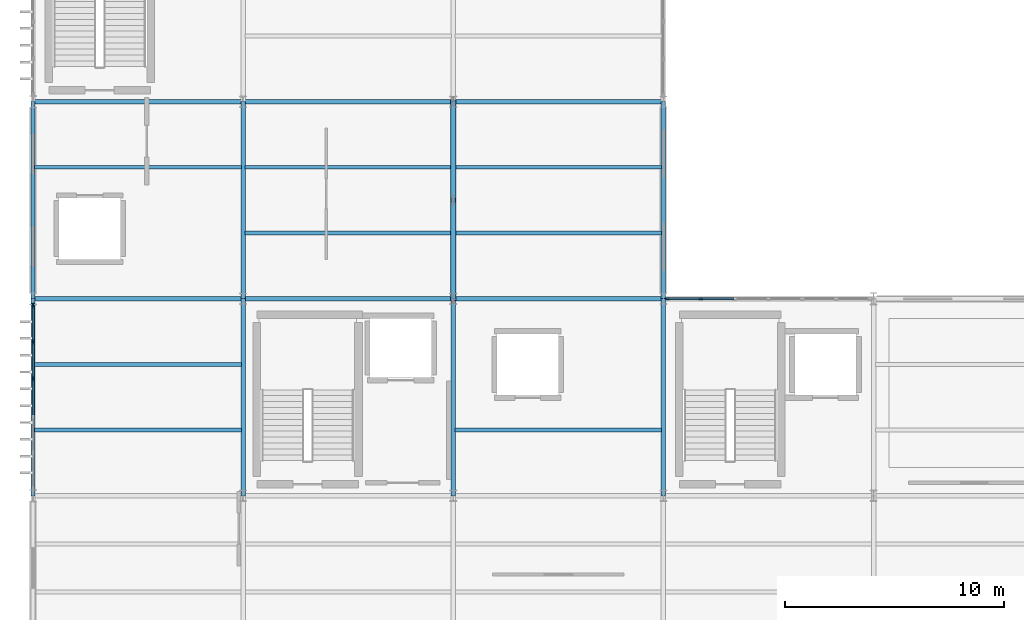
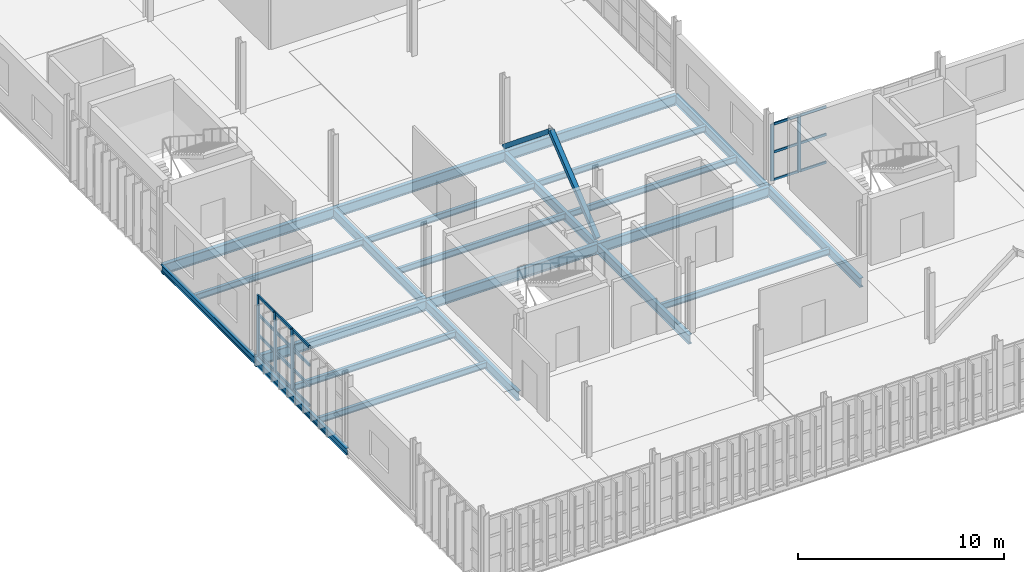
# One storey, part 7 of 52: 25 members, 22 beams, 2 elements without a shape of their own.
"""IFC4 building model written with IfcOpenShell, lengths in metres."""

import ifcopenshell
import ifcopenshell.guid

model = None  # the IFC model being written
_history = None  # IfcOwnerHistory: only IFC2X3 demands one
_inside = {}  # id of a spatial element -> (the spatial element, [elements in it])
_under = {}  # id of a project, library or spatial element -> (it, [spatial elements below it])
_declared = {}  # id of a project -> (the project, [libraries it declares])
_typed = {}  # id of a type object -> (the type object, [elements of that type])
_made_of = {}  # id of a material, layer set ... -> (it, [elements and type objects made of it])


def new_model(schema):
    """Start an empty IFC model of exactly this schema.

    Asked for "IFC4X3", IfcOpenShell would pick the latest addendum, in which some entities
    have other attributes; the version numbers below select the first issue.
    IFC2X3 requires an IfcOwnerHistory on every rooted entity: one is made here for all.
    """
    global model, _history
    if schema == "IFC4X3":
        model = ifcopenshell.file(schema_version=(4, 3, 0, 0))
    else:
        model = ifcopenshell.file(schema=schema)
    _inside.clear()
    _under.clear()
    _declared.clear()
    _typed.clear()
    _made_of.clear()
    _history = None
    if model.schema == "IFC2X3":
        org = make("IfcOrganization", Name="unknown")
        user = make(
            "IfcPersonAndOrganization",
            ThePerson=make("IfcPerson", FamilyName="unknown"),
            TheOrganization=org,
        )
        app = make(
            "IfcApplication",
            ApplicationDeveloper=org,
            Version="unknown",
            ApplicationFullName="unknown",
            ApplicationIdentifier="unknown",
        )
        _history = make(
            "IfcOwnerHistory",
            OwningUser=user,
            OwningApplication=app,
            ChangeAction="ADDED",
            CreationDate=0,
        )
    return model


def make(cls, **values):
    """One entity of the class cls with the attributes given. An attribute that is None is left unset."""
    return model.create_entity(
        cls, **{name: value for name, value in values.items() if value is not None}
    )


def rooted(cls, **values):
    """An entity with a GlobalId (a new one), such as an element, a storey or a relation."""
    return make(cls, GlobalId=ifcopenshell.guid.new(), OwnerHistory=_history, **values)


def si_unit(unit_type, name, prefix=None):
    """IfcSIUnit, for example si_unit("LENGTHUNIT", "METRE", prefix="MILLI")."""
    return make("IfcSIUnit", UnitType=unit_type, Prefix=prefix, Name=name)


def assignment(units):
    """IfcUnitAssignment: the units of a project."""
    return None if units is None else make("IfcUnitAssignment", Units=units)


def point(xyz):
    """IfcCartesianPoint."""
    return None if xyz is None else make("IfcCartesianPoint", Coordinates=xyz)


def direction(xyz):
    """IfcDirection."""
    return None if xyz is None else make("IfcDirection", DirectionRatios=xyz)


def frame(location, z_axis=None, x_axis=None):
    """IfcAxis2Placement3D, a coordinate frame: its origin and axes. An axis left out is left unset."""
    return make(
        "IfcAxis2Placement3D",
        Location=point(location),
        Axis=direction(z_axis),
        RefDirection=direction(x_axis),
    )


def frame_2d(location, x_axis=None):
    """IfcAxis2Placement2D, a coordinate frame in the plane: its origin and x axis."""
    return make(
        "IfcAxis2Placement2D", Location=point(location), RefDirection=direction(x_axis)
    )


def origin():
    """The frame at (0, 0, 0) with its axes left unset."""
    return frame((0.0, 0.0, 0.0))


def origin_2d():
    """The frame at (0, 0) in the plane with its x axis left unset."""
    return frame_2d((0.0, 0.0))


def place(relative_to, where):
    """IfcLocalPlacement: puts the frame where relative to a parent placement (None: the world)."""
    return make(
        "IfcLocalPlacement", PlacementRelTo=relative_to, RelativePlacement=where
    )


def context(
    kind, dimensions, precision=None, world=None, true_north=None, identifier=None
):
    """IfcGeometricRepresentationContext, for example the 3D "Model" context."""
    return make(
        "IfcGeometricRepresentationContext",
        ContextIdentifier=identifier,
        ContextType=kind,
        CoordinateSpaceDimension=dimensions,
        Precision=precision,
        WorldCoordinateSystem=world,
        TrueNorth=true_north,
    )


def subcontext(parent, identifier, kind, view, scale=None):
    """IfcGeometricRepresentationSubContext, for example "Body" below "Model"."""
    return make(
        "IfcGeometricRepresentationSubContext",
        ContextIdentifier=identifier,
        ContextType=kind,
        ParentContext=parent,
        TargetScale=scale,
        TargetView=view,
    )


def project(units=None, contexts=None):
    """IfcProject with its units and contexts."""
    return rooted(
        "IfcProject",
        Name="project",
        RepresentationContexts=contexts,
        UnitsInContext=assignment(units),
    )


def spatial(cls, under=None, at=None, **own):
    """A site, building, storey or space (cls), placed at a placement, below another one or the project."""
    s = rooted(cls, ObjectPlacement=at, **own)
    if under is not None:
        _under.setdefault(under.id(), (under, []))[1].append(s)
    return s


def profile(cls, at=None, kind="AREA", **sizes):
    """A parametric profile (cls). Its sizes go by their IFC names, for example OverallWidth=200.0."""
    return make(cls, ProfileType=kind, Position=at, **sizes)


def rectangle(**sizes):
    """IfcRectangleProfileDef."""
    return profile("IfcRectangleProfileDef", **sizes)


def hollow_rectangle(**sizes):
    """IfcRectangleHollowProfileDef."""
    return profile("IfcRectangleHollowProfileDef", **sizes)


def i_section(**sizes):
    """IfcIShapeProfileDef."""
    return profile("IfcIShapeProfileDef", **sizes)


def extrude(swept, where, along, depth):
    """IfcExtrudedAreaSolid: the profile swept, set in the frame where, extruded along a direction by depth."""
    return make(
        "IfcExtrudedAreaSolid",
        SweptArea=swept,
        Position=where,
        ExtrudedDirection=direction(along),
        Depth=depth,
    )


def shape(context_of_items, identifier, shape_type, items):
    """IfcShapeRepresentation: the items that make up one representation, for example the "Body"."""
    return make(
        "IfcShapeRepresentation",
        ContextOfItems=context_of_items,
        RepresentationIdentifier=identifier,
        RepresentationType=shape_type,
        Items=items,
    )


def material(Name=None, Category=None):
    """IfcMaterial."""
    return make("IfcMaterial", Name=Name, Category=Category)


def layer(
    of_material, thickness, ventilated=None, Name=None, Category=None, Priority=None
):
    """IfcMaterialLayer: one layer of a wall or slab, of a material (None: an air gap)."""
    return make(
        "IfcMaterialLayer",
        Material=of_material,
        LayerThickness=thickness,
        IsVentilated=ventilated,
        Name=Name,
        Category=Category,
        Priority=Priority,
    )


def layer_set(layers, Name=None):
    """IfcMaterialLayerSet."""
    return make("IfcMaterialLayerSet", MaterialLayers=layers, LayerSetName=Name)


def material_profile(
    of_material, cross_section, Name=None, Category=None, Priority=None
):
    """IfcMaterialProfile: a cross section and its material."""
    return make(
        "IfcMaterialProfile",
        Name=Name,
        Material=of_material,
        Profile=cross_section,
        Priority=Priority,
        Category=Category,
    )


def profile_set(profiles, Name=None, composite=None):
    """IfcMaterialProfileSet."""
    return make(
        "IfcMaterialProfileSet",
        Name=Name,
        MaterialProfiles=profiles,
        CompositeProfile=composite,
    )


def made_of(thing, what):
    """Note that an element or type object is made of a material, layer set ...; save() writes the relation."""
    if what is not None:
        _made_of.setdefault(what.id(), (what, []))[1].append(thing)
    return thing


def type_object(cls, material=None, **own):
    """A type object (cls), such as IfcWallType, which elements share."""
    return made_of(rooted(cls, **own), material)


def element(
    cls,
    number,
    at=None,
    inside=None,
    cuts=None,
    type_object=None,
    material=None,
    context=None,
    identifier="Body",
    shape_type=None,
    held_by="IfcProductDefinitionShape",
    body=None,
    shapes=None,
    **own,
):
    """One element of the class cls, such as IfcWall. Its Tag is "e" and its number.

    at: its placement. inside: the storey or other place that contains it. cuts: it is an
    opening in that element (IfcRelVoidsElement). A single representation is given by context,
    identifier, shape_type and body (its items); several are given by shapes. held_by: the class
    of the entity that holds the representations. save() writes the other relations.
    """
    e = rooted(cls, Tag="e%d" % number, ObjectPlacement=at, **own)
    if body is not None:
        shapes = [shape(context, identifier, shape_type, body)]
    if shapes is not None:
        e.Representation = make(held_by, Representations=shapes)
    if inside is not None:
        _inside.setdefault(inside.id(), (inside, []))[1].append(e)
    if cuts is not None:
        rooted(
            "IfcRelVoidsElement", RelatingBuildingElement=cuts, RelatedOpeningElement=e
        )
    if type_object is not None:
        _typed.setdefault(type_object.id(), (type_object, []))[1].append(e)
    return made_of(e, material)


def aggregate(whole, parts):
    """IfcRelAggregates: a whole, such as a stair, and the parts it consists of."""
    return rooted("IfcRelAggregates", RelatingObject=whole, RelatedObjects=parts)


def save(model, path):
    """Write the relations noted so far, then the file.

    IfcRelAggregates (storeys below a building ...), IfcRelContainedInSpatialStructure (elements
    in a storey), IfcRelDefinesByType, IfcRelAssociatesMaterial and IfcRelDeclares: one each for
    every whole, place, type object, material and project.
    """
    for whole, parts in _under.values():
        aggregate(whole, parts)
    for where, things in _inside.values():
        rooted(
            "IfcRelContainedInSpatialStructure",
            RelatedElements=things,
            RelatingStructure=where,
        )
    for kind, things in _typed.values():
        rooted("IfcRelDefinesByType", RelatedObjects=things, RelatingType=kind)
    for what, things in _made_of.values():
        rooted("IfcRelAssociatesMaterial", RelatedObjects=things, RelatingMaterial=what)
    for by, libraries in _declared.values():
        rooted("IfcRelDeclares", RelatingContext=by, RelatedDefinitions=libraries)
    model.write(path)


model = new_model("IFC4")

# Units and contexts
model_context = context("Model", 3, precision=1e-05, world=origin(), true_north=direction((0.0, 1.0)))
body_context = subcontext(model_context, "Body", "Model", "MODEL_VIEW")
ifc_project = project(units=[si_unit("LENGTHUNIT", "METRE"), si_unit("AREAUNIT", "SQUARE_METRE"), si_unit("VOLUMEUNIT", "CUBIC_METRE"), si_unit("PLANEANGLEUNIT", "RADIAN"), si_unit("MASSUNIT", "GRAM", prefix="KILO")], contexts=[model_context])

# Site, building, storey
site_placement = place(None, origin())
site = spatial("IfcSite", under=ifc_project, at=site_placement, CompositionType="ELEMENT")
building_placement = place(site_placement, origin())
building = spatial("IfcBuilding", under=site, at=building_placement, Name="Zarnetskaya Central Station", CompositionType="ELEMENT")
storey_placement = place(building_placement, frame((0.0, 0.0, 14.39990234375)))
storey = spatial("IfcBuildingStorey", under=building, at=storey_placement, Name="L03", CompositionType="ELEMENT", Elevation=14.39990234375)

# Beams
ifc_material_1 = material(Name="Steel S355", Category="steel")
ifc_material_profile_1 = material_profile(ifc_material_1, i_section(OverallWidth=0.169921875, OverallDepth=0.360107421875, WebThickness=0.008056640625, FlangeThickness=0.0126953125, FilletRadius=0.01806640625, at=origin_2d()), Name="IPE 360")
ifc_profile_set_1 = profile_set([ifc_material_profile_1], Name="Steel S355")
beam_type_1 = type_object("IfcBeamType", Name="BM-SEC-360", PredefinedType="BEAM", material=ifc_profile_set_1)
for number, where, z_axis, x_axis, name in (
    (1, (0.080078125, 16.199951171875, -0.429931640625), (1.0, 0.0, 0.0), (0.0, 1.0, 0.0), "Secondary floor beam SEC-L03-Z1415-AB-34-1"),
    (2, (0.080078125, 19.199951171875, -0.429931640625), (1.0, 0.0, 0.0), (0.0, 1.0, 0.0), "Secondary floor beam SEC-L03-Z1415-AB-34-2"),
    (3, (0.080078125, 28.199951171875, -0.429931640625), (1.0, 0.0, 0.0), (0.0, 1.0, 0.0), "Secondary floor beam SEC-L03-Z1415-AB-45-2"),
):
    element("IfcBeam", number, at=place(storey_placement, frame(where, z_axis=z_axis, x_axis=x_axis)), inside=storey, type_object=beam_type_1, Name=name, PredefinedType="BEAM", context=body_context, shape_type="SweptSolid", body=[
        extrude(i_section(OverallWidth=0.169921875, OverallDepth=0.360107421875, WebThickness=0.008056640625, FlangeThickness=0.0126953125, FilletRadius=0.01806640625, at=origin_2d()), origin(), (0.0, 0.0, 1.0), 9.43994140625),
    ])
for number, where, z_axis, x_axis, name in (
    (4, (9.679931640625, 25.199951171875, -0.429931640625), (1.0, 0.0, 0.0), (0.0, 1.0, 0.0), "Secondary floor beam SEC-L03-Z1415-BC-45-1"),
    (5, (9.679931640625, 28.199951171875, -0.429931640625), (1.0, 0.0, 0.0), (0.0, 1.0, 0.0), "Secondary floor beam SEC-L03-Z1415-BC-45-2"),
):
    element("IfcBeam", number, at=place(storey_placement, frame(where, z_axis=z_axis, x_axis=x_axis)), inside=storey, type_object=beam_type_1, Name=name, PredefinedType="BEAM", context=body_context, shape_type="SweptSolid", body=[
        extrude(i_section(OverallWidth=0.169921875, OverallDepth=0.360107421875, WebThickness=0.008056640625, FlangeThickness=0.0126953125, FilletRadius=0.01806640625, at=origin_2d()), origin(), (0.0, 0.0, 1.0), 9.440185546875),
    ])
for number, where, z_axis, x_axis, name in (
    (6, (19.280029296875, 16.199951171875, -0.429931640625), (1.0, 0.0, 0.0), (0.0, 1.0, 0.0), "Secondary floor beam SEC-L03-Z1415-CD-34-1"),
    (7, (19.280029296875, 25.199951171875, -0.429931640625), (1.0, 0.0, 0.0), (0.0, 1.0, 0.0), "Secondary floor beam SEC-L03-Z1415-CD-45-1"),
    (8, (19.280029296875, 28.199951171875, -0.429931640625), (1.0, 0.0, 0.0), (0.0, 1.0, 0.0), "Secondary floor beam SEC-L03-Z1415-CD-45-2"),
):
    element("IfcBeam", number, at=place(storey_placement, frame(where, z_axis=z_axis, x_axis=x_axis)), inside=storey, type_object=beam_type_1, Name=name, PredefinedType="BEAM", context=body_context, shape_type="SweptSolid", body=[
        extrude(i_section(OverallWidth=0.169921875, OverallDepth=0.360107421875, WebThickness=0.008056640625, FlangeThickness=0.0126953125, FilletRadius=0.01806640625, at=origin_2d()), origin(), (0.0, 0.0, 1.0), 9.43994140625),
    ])
ifc_material_profile_2 = material_profile(ifc_material_1, i_section(OverallWidth=0.179931640625, OverallDepth=0.39990234375, WebThickness=0.008544921875, FlangeThickness=0.013427734375, FilletRadius=0.02099609375, at=origin_2d()), Name="IPE 400")
ifc_profile_set_2 = profile_set([ifc_material_profile_2], Name="Steel S355")
beam_type_2 = type_object("IfcBeamType", Name="BM-SPN-V5", PredefinedType="SPANDREL", material=ifc_profile_set_2)
for number, where, z_axis, x_axis, name in (
    (9, (0.0, 13.199951171875, -0.449951171875), (0.0, 1.0, 0.0), (-1.0, 0.0, 0.0), "Grid girder GY-L03-A-34"),
    (10, (0.0, 22.199951171875, -0.449951171875), (0.0, 1.0, 0.0), (-1.0, 0.0, 0.0), "Grid girder GY-L03-A-45"),
):
    element("IfcBeam", number, at=place(storey_placement, frame(where, z_axis=z_axis, x_axis=x_axis)), inside=storey, type_object=beam_type_2, Name=name, PredefinedType="SPANDREL", context=body_context, shape_type="SweptSolid", body=[
        extrude(i_section(OverallWidth=0.179931640625, OverallDepth=0.39990234375, WebThickness=0.008544921875, FlangeThickness=0.013427734375, FilletRadius=0.02099609375, at=origin_2d()), origin(), (0.0, 0.0, 1.0), 9.0),
    ])

# Curtain wall, members
ifc_material_2 = material(Name="Low-E insulated glass", Category="glass")
ifc_layer_1 = layer(ifc_material_2, 0.176025390625, Name="Low-E insulated glass", Category="glass")
ifc_layer_set_1 = layer_set([ifc_layer_1], Name="Low-E insulated glass")
curtain_wall_type_1 = type_object("IfcCurtainWallType", Name="CW-SYS-05", PredefinedType="USERDEFINED", material=ifc_layer_set_1)
curtain_wall_1_placement = place(storey_placement, origin())
curtain_wall_1 = element("IfcCurtainWall", 11, at=curtain_wall_1_placement, inside=storey, type_object=curtain_wall_type_1, Name="Curtain wall CW-L03-039", ObjectType="CURTAIN WALL", PredefinedType="USERDEFINED")
ifc_material_3 = material(Name="Anodised aluminium", Category="aluminium")
ifc_material_profile_3 = material_profile(ifc_material_3, rectangle(XDim=0.070068359375, YDim=0.179931640625, at=origin_2d()), Name="ALU MULL 70x180")
ifc_profile_set_3 = profile_set([ifc_material_profile_3], Name="Anodised aluminium")
member_type_1 = type_object("IfcMemberType", Name="CW-MULL-180", PredefinedType="MULLION", material=ifc_profile_set_3)
member_1_placement = place(storey_placement, frame((28.985107421875, 22.199951171875, 0.0), z_axis=(0.0, 0.0, 1.0), x_axis=(0.0, 1.0, 0.0)))
member_1 = element("IfcMember", 12, at=member_1_placement, type_object=member_type_1, Name="CW-14 mullion 1", PredefinedType="MULLION", context=body_context, shape_type="SweptSolid", body=[
    extrude(rectangle(XDim=0.070068359375, YDim=0.179931640625, at=origin_2d()), origin(), (0.0, 0.0, 1.0), 3.360107421875),
])
member_2_placement = place(storey_placement, frame((30.5, 22.199951171875, 0.0), z_axis=(0.0, 0.0, 1.0), x_axis=(0.0, 1.0, 0.0)))
member_2 = element("IfcMember", 13, at=member_2_placement, type_object=member_type_1, Name="CW-14 mullion 2", PredefinedType="MULLION", context=body_context, shape_type="SweptSolid", body=[
    extrude(rectangle(XDim=0.070068359375, YDim=0.179931640625, at=origin_2d()), origin(), (0.0, 0.0, 1.0), 3.360107421875),
])

ifc_layer_2 = layer(ifc_material_2, 0.1640625, Name="Low-E insulated glass", Category="glass")
ifc_layer_set_2 = layer_set([ifc_layer_2], Name="Low-E insulated glass")
curtain_wall_type_2 = type_object("IfcCurtainWallType", Name="CW-SYS-07", PredefinedType="USERDEFINED", material=ifc_layer_set_2)
curtain_wall_2_placement = place(storey_placement, origin())
curtain_wall_2 = element("IfcCurtainWall", 14, at=curtain_wall_2_placement, inside=storey, type_object=curtain_wall_type_2, Name="Curtain wall CW-L03-032", ObjectType="CURTAIN WALL", PredefinedType="USERDEFINED")
ifc_material_profile_4 = material_profile(ifc_material_3, rectangle(XDim=0.080078125, YDim=0.219970703125, at=origin_2d()), Name="ALU MULL 80x220")
ifc_profile_set_4 = profile_set([ifc_material_profile_4], Name="Anodised aluminium")
member_type_2 = type_object("IfcMemberType", Name="CW-MULL-220", PredefinedType="MULLION", material=ifc_profile_set_4)
member_3_placement = place(storey_placement, frame((0.0, 18.544921875, 0.0), z_axis=(0.0, 0.0, 1.0), x_axis=(-1.0, 0.0, 0.0)))
member_3 = element("IfcMember", 15, at=member_3_placement, type_object=member_type_2, Name="CW-06 mullion 4", PredefinedType="MULLION", context=body_context, shape_type="SweptSolid", body=[
    extrude(rectangle(XDim=0.080078125, YDim=0.219970703125, at=origin_2d()), origin(), (0.0, 0.0, 1.0), 3.56005859375),
])
member_4_placement = place(storey_placement, frame((0.0, 20.235107421875, 0.0), z_axis=(0.0, 0.0, 1.0), x_axis=(-1.0, 0.0, 0.0)))
member_4 = element("IfcMember", 16, at=member_4_placement, type_object=member_type_2, Name="CW-06 mullion 5", PredefinedType="MULLION", context=body_context, shape_type="SweptSolid", body=[
    extrude(rectangle(XDim=0.080078125, YDim=0.219970703125, at=origin_2d()), origin(), (0.0, 0.0, 1.0), 3.56005859375),
])
member_5_placement = place(storey_placement, frame((0.0, 21.885009765625, 0.0), z_axis=(0.0, 0.0, 1.0), x_axis=(-1.0, 0.0, 0.0)))
member_5 = element("IfcMember", 17, at=member_5_placement, type_object=member_type_2, Name="CW-06 mullion 6", PredefinedType="MULLION", context=body_context, shape_type="SweptSolid", body=[
    extrude(rectangle(XDim=0.080078125, YDim=0.219970703125, at=origin_2d()), origin(), (0.0, 0.0, 1.0), 3.56005859375),
])

# Member
ifc_material_profile_5 = material_profile(ifc_material_3, rectangle(XDim=0.070068359375, YDim=0.139892578125, at=origin_2d()), Name="ALU TRAN 70x140")
ifc_profile_set_5 = profile_set([ifc_material_profile_5], Name="Anodised aluminium")
member_type_3 = type_object("IfcMemberType", Name="CW-TRAN-140", PredefinedType="USERDEFINED", material=ifc_profile_set_5)
member_6_placement = place(storey_placement, frame((29.02001953125, 22.199951171875, 0.03515625), z_axis=(1.0, 0.0, 0.0), x_axis=(0.0, 1.0, 0.0)))
member_6 = element("IfcMember", 18, at=member_6_placement, type_object=member_type_3, Name="CW-14 transom 1.1", ObjectType="TRANSOM", PredefinedType="USERDEFINED", context=body_context, shape_type="SweptSolid", body=[
    extrude(rectangle(XDim=0.070068359375, YDim=0.139892578125, at=origin_2d()), origin(), (0.0, 0.0, 1.0), 1.445068359375),
])

member_7_placement = place(storey_placement, frame((29.02001953125, 22.199951171875, 1.68017578125), z_axis=(1.0, 0.0, 0.0), x_axis=(0.0, 1.0, 0.0)))
member_7 = element("IfcMember", 19, at=member_7_placement, type_object=member_type_3, Name="CW-14 transom 1.2", ObjectType="TRANSOM", PredefinedType="USERDEFINED", context=body_context, shape_type="SweptSolid", body=[
    extrude(rectangle(XDim=0.070068359375, YDim=0.139892578125, at=origin_2d()), origin(), (0.0, 0.0, 1.0), 1.445068359375),
])

member_8_placement = place(storey_placement, frame((29.02001953125, 22.199951171875, 3.3251953125), z_axis=(1.0, 0.0, 0.0), x_axis=(0.0, 1.0, 0.0)))
member_8 = element("IfcMember", 20, at=member_8_placement, type_object=member_type_3, Name="CW-14 transom 1.3", ObjectType="TRANSOM", PredefinedType="USERDEFINED", context=body_context, shape_type="SweptSolid", body=[
    extrude(rectangle(XDim=0.070068359375, YDim=0.139892578125, at=origin_2d()), origin(), (0.0, 0.0, 1.0), 1.445068359375),
])

member_9_placement = place(storey_placement, frame((30.534912109375, 22.199951171875, 0.03515625), z_axis=(1.0, 0.0, 0.0), x_axis=(0.0, 1.0, 0.0)))
member_9 = element("IfcMember", 21, at=member_9_placement, type_object=member_type_3, Name="CW-14 transom 2.1", ObjectType="TRANSOM", PredefinedType="USERDEFINED", context=body_context, shape_type="SweptSolid", body=[
    extrude(rectangle(XDim=0.070068359375, YDim=0.139892578125, at=origin_2d()), origin(), (0.0, 0.0, 1.0), 1.47998046875),
])

member_10_placement = place(storey_placement, frame((30.534912109375, 22.199951171875, 1.68017578125), z_axis=(1.0, 0.0, 0.0), x_axis=(0.0, 1.0, 0.0)))
member_10 = element("IfcMember", 22, at=member_10_placement, type_object=member_type_3, Name="CW-14 transom 2.2", ObjectType="TRANSOM", PredefinedType="USERDEFINED", context=body_context, shape_type="SweptSolid", body=[
    extrude(rectangle(XDim=0.070068359375, YDim=0.139892578125, at=origin_2d()), origin(), (0.0, 0.0, 1.0), 1.47998046875),
])

member_11_placement = place(storey_placement, frame((30.534912109375, 22.199951171875, 3.3251953125), z_axis=(1.0, 0.0, 0.0), x_axis=(0.0, 1.0, 0.0)))
member_11 = element("IfcMember", 23, at=member_11_placement, type_object=member_type_3, Name="CW-14 transom 2.3", ObjectType="TRANSOM", PredefinedType="USERDEFINED", context=body_context, shape_type="SweptSolid", body=[
    extrude(rectangle(XDim=0.070068359375, YDim=0.139892578125, at=origin_2d()), origin(), (0.0, 0.0, 1.0), 1.47998046875),
])

aggregate(curtain_wall_1, [member_1, member_2, member_6, member_7, member_8, member_9, member_10, member_11])

ifc_material_profile_6 = material_profile(ifc_material_3, rectangle(XDim=0.080078125, YDim=0.159912109375, at=origin_2d()), Name="ALU TRAN 80x160")
ifc_profile_set_6 = profile_set([ifc_material_profile_6], Name="Anodised aluminium")
member_type_4 = type_object("IfcMemberType", Name="CW-TRAN-160", PredefinedType="USERDEFINED", material=ifc_profile_set_6)
member_12_placement = place(storey_placement, frame((0.0, 16.89501953125, 0.0400390625), z_axis=(0.0, 1.0, 0.0), x_axis=(-1.0, 0.0, 0.0)))
member_12 = element("IfcMember", 24, at=member_12_placement, type_object=member_type_4, Name="CW-06 transom 3.1", ObjectType="TRANSOM", PredefinedType="USERDEFINED", context=body_context, shape_type="SweptSolid", body=[
    extrude(rectangle(XDim=0.080078125, YDim=0.159912109375, at=origin_2d()), origin(), (0.0, 0.0, 1.0), 1.60986328125),
])

member_13_placement = place(storey_placement, frame((0.0, 16.89501953125, 1.210205078125), z_axis=(0.0, 1.0, 0.0), x_axis=(-1.0, 0.0, 0.0)))
member_13 = element("IfcMember", 25, at=member_13_placement, type_object=member_type_4, Name="CW-06 transom 3.2", ObjectType="TRANSOM", PredefinedType="USERDEFINED", context=body_context, shape_type="SweptSolid", body=[
    extrude(rectangle(XDim=0.080078125, YDim=0.159912109375, at=origin_2d()), origin(), (0.0, 0.0, 1.0), 1.60986328125),
])

member_14_placement = place(storey_placement, frame((0.0, 16.89501953125, 2.421142578125), z_axis=(0.0, 1.0, 0.0), x_axis=(-1.0, 0.0, 0.0)))
member_14 = element("IfcMember", 26, at=member_14_placement, type_object=member_type_4, Name="CW-06 transom 3.3", ObjectType="TRANSOM", PredefinedType="USERDEFINED", context=body_context, shape_type="SweptSolid", body=[
    extrude(rectangle(XDim=0.080078125, YDim=0.159912109375, at=origin_2d()), origin(), (0.0, 0.0, 1.0), 1.60986328125),
])

member_15_placement = place(storey_placement, frame((0.0, 16.89501953125, 3.52001953125), z_axis=(0.0, 1.0, 0.0), x_axis=(-1.0, 0.0, 0.0)))
member_15 = element("IfcMember", 27, at=member_15_placement, type_object=member_type_4, Name="CW-06 transom 3.4", ObjectType="TRANSOM", PredefinedType="USERDEFINED", context=body_context, shape_type="SweptSolid", body=[
    extrude(rectangle(XDim=0.080078125, YDim=0.159912109375, at=origin_2d()), origin(), (0.0, 0.0, 1.0), 1.60986328125),
])

member_16_placement = place(storey_placement, frame((0.0, 18.5849609375, 0.0400390625), z_axis=(0.0, 1.0, 0.0), x_axis=(-1.0, 0.0, 0.0)))
member_16 = element("IfcMember", 28, at=member_16_placement, type_object=member_type_4, Name="CW-06 transom 4.1", ObjectType="TRANSOM", PredefinedType="USERDEFINED", context=body_context, shape_type="SweptSolid", body=[
    extrude(rectangle(XDim=0.080078125, YDim=0.159912109375, at=origin_2d()), origin(), (0.0, 0.0, 1.0), 1.610107421875),
])

member_17_placement = place(storey_placement, frame((0.0, 18.5849609375, 1.210205078125), z_axis=(0.0, 1.0, 0.0), x_axis=(-1.0, 0.0, 0.0)))
member_17 = element("IfcMember", 29, at=member_17_placement, type_object=member_type_4, Name="CW-06 transom 4.2", ObjectType="TRANSOM", PredefinedType="USERDEFINED", context=body_context, shape_type="SweptSolid", body=[
    extrude(rectangle(XDim=0.080078125, YDim=0.159912109375, at=origin_2d()), origin(), (0.0, 0.0, 1.0), 1.610107421875),
])

member_18_placement = place(storey_placement, frame((0.0, 18.5849609375, 2.421142578125), z_axis=(0.0, 1.0, 0.0), x_axis=(-1.0, 0.0, 0.0)))
member_18 = element("IfcMember", 30, at=member_18_placement, type_object=member_type_4, Name="CW-06 transom 4.3", ObjectType="TRANSOM", PredefinedType="USERDEFINED", context=body_context, shape_type="SweptSolid", body=[
    extrude(rectangle(XDim=0.080078125, YDim=0.159912109375, at=origin_2d()), origin(), (0.0, 0.0, 1.0), 1.610107421875),
])

member_19_placement = place(storey_placement, frame((0.0, 18.5849609375, 3.52001953125), z_axis=(0.0, 1.0, 0.0), x_axis=(-1.0, 0.0, 0.0)))
member_19 = element("IfcMember", 31, at=member_19_placement, type_object=member_type_4, Name="CW-06 transom 4.4", ObjectType="TRANSOM", PredefinedType="USERDEFINED", context=body_context, shape_type="SweptSolid", body=[
    extrude(rectangle(XDim=0.080078125, YDim=0.159912109375, at=origin_2d()), origin(), (0.0, 0.0, 1.0), 1.610107421875),
])

member_20_placement = place(storey_placement, frame((0.0, 20.27490234375, 0.0400390625), z_axis=(0.0, 1.0, 0.0), x_axis=(-1.0, 0.0, 0.0)))
member_20 = element("IfcMember", 32, at=member_20_placement, type_object=member_type_4, Name="CW-06 transom 5.1", ObjectType="TRANSOM", PredefinedType="USERDEFINED", context=body_context, shape_type="SweptSolid", body=[
    extrude(rectangle(XDim=0.080078125, YDim=0.159912109375, at=origin_2d()), origin(), (0.0, 0.0, 1.0), 1.570068359375),
])

member_21_placement = place(storey_placement, frame((0.0, 20.27490234375, 1.210205078125), z_axis=(0.0, 1.0, 0.0), x_axis=(-1.0, 0.0, 0.0)))
member_21 = element("IfcMember", 33, at=member_21_placement, type_object=member_type_4, Name="CW-06 transom 5.2", ObjectType="TRANSOM", PredefinedType="USERDEFINED", context=body_context, shape_type="SweptSolid", body=[
    extrude(rectangle(XDim=0.080078125, YDim=0.159912109375, at=origin_2d()), origin(), (0.0, 0.0, 1.0), 1.570068359375),
])

member_22_placement = place(storey_placement, frame((0.0, 20.27490234375, 2.421142578125), z_axis=(0.0, 1.0, 0.0), x_axis=(-1.0, 0.0, 0.0)))
member_22 = element("IfcMember", 34, at=member_22_placement, type_object=member_type_4, Name="CW-06 transom 5.3", ObjectType="TRANSOM", PredefinedType="USERDEFINED", context=body_context, shape_type="SweptSolid", body=[
    extrude(rectangle(XDim=0.080078125, YDim=0.159912109375, at=origin_2d()), origin(), (0.0, 0.0, 1.0), 1.570068359375),
])

member_23_placement = place(storey_placement, frame((0.0, 20.27490234375, 3.52001953125), z_axis=(0.0, 1.0, 0.0), x_axis=(-1.0, 0.0, 0.0)))
member_23 = element("IfcMember", 35, at=member_23_placement, type_object=member_type_4, Name="CW-06 transom 5.4", ObjectType="TRANSOM", PredefinedType="USERDEFINED", context=body_context, shape_type="SweptSolid", body=[
    extrude(rectangle(XDim=0.080078125, YDim=0.159912109375, at=origin_2d()), origin(), (0.0, 0.0, 1.0), 1.570068359375),
])

aggregate(curtain_wall_2, [member_3, member_4, member_5, member_12, member_13, member_14, member_15, member_16, member_17, member_18, member_19, member_20, member_21, member_22, member_23])

# Beams
ifc_material_profile_7 = material_profile(ifc_material_1, i_section(OverallWidth=0.2099609375, OverallDepth=0.550048828125, WebThickness=0.010986328125, FlangeThickness=0.01708984375, FilletRadius=0.02392578125, at=origin_2d()), Name="IPE 550")
ifc_profile_set_7 = profile_set([ifc_material_profile_7], Name="Steel S355")
beam_type_3 = type_object("IfcBeamType", Name="GD-FLR-550", PredefinedType="USERDEFINED", material=ifc_profile_set_7)
for number, where, z_axis, x_axis, name in (
    (36, (9.60009765625, 13.199951171875, -0.52490234375), (0.0, 1.0, 0.0), (-1.0, 0.0, 0.0), "Grid girder GY-L03-B-34"),
    (37, (9.60009765625, 22.199951171875, -0.52490234375), (0.0, 1.0, 0.0), (-1.0, 0.0, 0.0), "Grid girder GY-L03-B-45"),
    (38, (19.199951171875, 13.199951171875, -0.52490234375), (0.0, 1.0, 0.0), (-1.0, 0.0, 0.0), "Grid girder GY-L03-C-34"),
    (39, (19.199951171875, 22.199951171875, -0.52490234375), (0.0, 1.0, 0.0), (-1.0, 0.0, 0.0), "Grid girder GY-L03-C-45"),
    (40, (28.800048828125, 13.199951171875, -0.52490234375), (0.0, 1.0, 0.0), (-1.0, 0.0, 0.0), "Grid girder GY-L03-D-34"),
    (41, (28.800048828125, 22.199951171875, -0.52490234375), (0.0, 1.0, 0.0), (-1.0, 0.0, 0.0), "Grid girder GY-L03-D-45"),
):
    element("IfcBeam", number, at=place(storey_placement, frame(where, z_axis=z_axis, x_axis=x_axis)), inside=storey, type_object=beam_type_3, Name=name, ObjectType="GIRDER", PredefinedType="USERDEFINED", context=body_context, shape_type="SweptSolid", body=[
        extrude(i_section(OverallWidth=0.2099609375, OverallDepth=0.550048828125, WebThickness=0.010986328125, FlangeThickness=0.01708984375, FilletRadius=0.02392578125, at=origin_2d()), origin(), (0.0, 0.0, 1.0), 9.0),
    ])
ifc_material_profile_8 = material_profile(ifc_material_1, i_section(OverallWidth=0.219970703125, OverallDepth=0.60009765625, WebThickness=0.011962890625, FlangeThickness=0.01904296875, FilletRadius=0.02392578125, at=origin_2d()), Name="IPE 600")
ifc_profile_set_8 = profile_set([ifc_material_profile_8], Name="Steel S355")
beam_type_4 = type_object("IfcBeamType", Name="GD-FLR-600", PredefinedType="USERDEFINED", material=ifc_profile_set_8)
for number, where, z_axis, x_axis, name in (
    (42, (0.0, 22.199951171875, -0.5498046875), (1.0, 0.0, 0.0), (0.0, 1.0, 0.0), "Grid girder GX-L03-4-AB"),
    (43, (0.0, 31.199951171875, -0.5498046875), (1.0, 0.0, 0.0), (0.0, 1.0, 0.0), "Grid girder GX-L03-5-AB"),
):
    element("IfcBeam", number, at=place(storey_placement, frame(where, z_axis=z_axis, x_axis=x_axis)), inside=storey, type_object=beam_type_4, Name=name, ObjectType="GIRDER", PredefinedType="USERDEFINED", context=body_context, shape_type="SweptSolid", body=[
        extrude(i_section(OverallWidth=0.219970703125, OverallDepth=0.60009765625, WebThickness=0.011962890625, FlangeThickness=0.01904296875, FilletRadius=0.02392578125, at=origin_2d()), origin(), (0.0, 0.0, 1.0), 9.60009765625),
    ])
for number, where, z_axis, x_axis, name in (
    (44, (9.60009765625, 22.199951171875, -0.5498046875), (1.0, 0.0, 0.0), (0.0, 1.0, 0.0), "Grid girder GX-L03-4-BC"),
    (45, (9.60009765625, 31.199951171875, -0.5498046875), (1.0, 0.0, 0.0), (0.0, 1.0, 0.0), "Grid girder GX-L03-5-BC"),
):
    element("IfcBeam", number, at=place(storey_placement, frame(where, z_axis=z_axis, x_axis=x_axis)), inside=storey, type_object=beam_type_4, Name=name, ObjectType="GIRDER", PredefinedType="USERDEFINED", context=body_context, shape_type="SweptSolid", body=[
        extrude(i_section(OverallWidth=0.219970703125, OverallDepth=0.60009765625, WebThickness=0.011962890625, FlangeThickness=0.01904296875, FilletRadius=0.02392578125, at=origin_2d()), origin(), (0.0, 0.0, 1.0), 9.599853515625),
    ])
for number, where, z_axis, x_axis, name in (
    (46, (19.199951171875, 22.199951171875, -0.5498046875), (1.0, 0.0, 0.0), (0.0, 1.0, 0.0), "Grid girder GX-L03-4-CD"),
    (47, (19.199951171875, 31.199951171875, -0.5498046875), (1.0, 0.0, 0.0), (0.0, 1.0, 0.0), "Grid girder GX-L03-5-CD"),
):
    element("IfcBeam", number, at=place(storey_placement, frame(where, z_axis=z_axis, x_axis=x_axis)), inside=storey, type_object=beam_type_4, Name=name, ObjectType="GIRDER", PredefinedType="USERDEFINED", context=body_context, shape_type="SweptSolid", body=[
        extrude(i_section(OverallWidth=0.219970703125, OverallDepth=0.60009765625, WebThickness=0.011962890625, FlangeThickness=0.01904296875, FilletRadius=0.02392578125, at=origin_2d()), origin(), (0.0, 0.0, 1.0), 9.60009765625),
    ])

# Members
ifc_material_profile_9 = material_profile(ifc_material_1, hollow_rectangle(XDim=0.25, YDim=0.25, WallThickness=0.012451171875, at=origin_2d()), Name="SHS 250x250x12.5")
ifc_profile_set_9 = profile_set([ifc_material_profile_9], Name="Steel S355")
member_type_5 = type_object("IfcMemberType", Name="MB-CBF-BRACE", PredefinedType="BRACE", material=ifc_profile_set_9)
for number, where, z_axis, x_axis, name in (
    (48, (19.199951171875, 22.199951171875, 0.0), (0.0, 0.775784312541, 0.630998177822), (-1.0, 0.0, 0.0), "Concentrically braced frame chevron 1L L03"),
    (49, (19.199951171875, 31.199951171875, 0.0), (0.0, -0.775784312541, 0.630998177822), (1.0, 0.0, 0.0), "Concentrically braced frame chevron 1R L03"),
):
    element("IfcMember", number, at=place(storey_placement, frame(where, z_axis=z_axis, x_axis=x_axis)), inside=storey, type_object=member_type_5, Name=name, PredefinedType="BRACE", context=body_context, shape_type="SweptSolid", body=[
        extrude(hollow_rectangle(XDim=0.25, YDim=0.25, WallThickness=0.012451171875, at=origin_2d()), origin(), (0.0, 0.0, 1.0), 5.800537109375),
    ])

save(model, "model.ifc")
